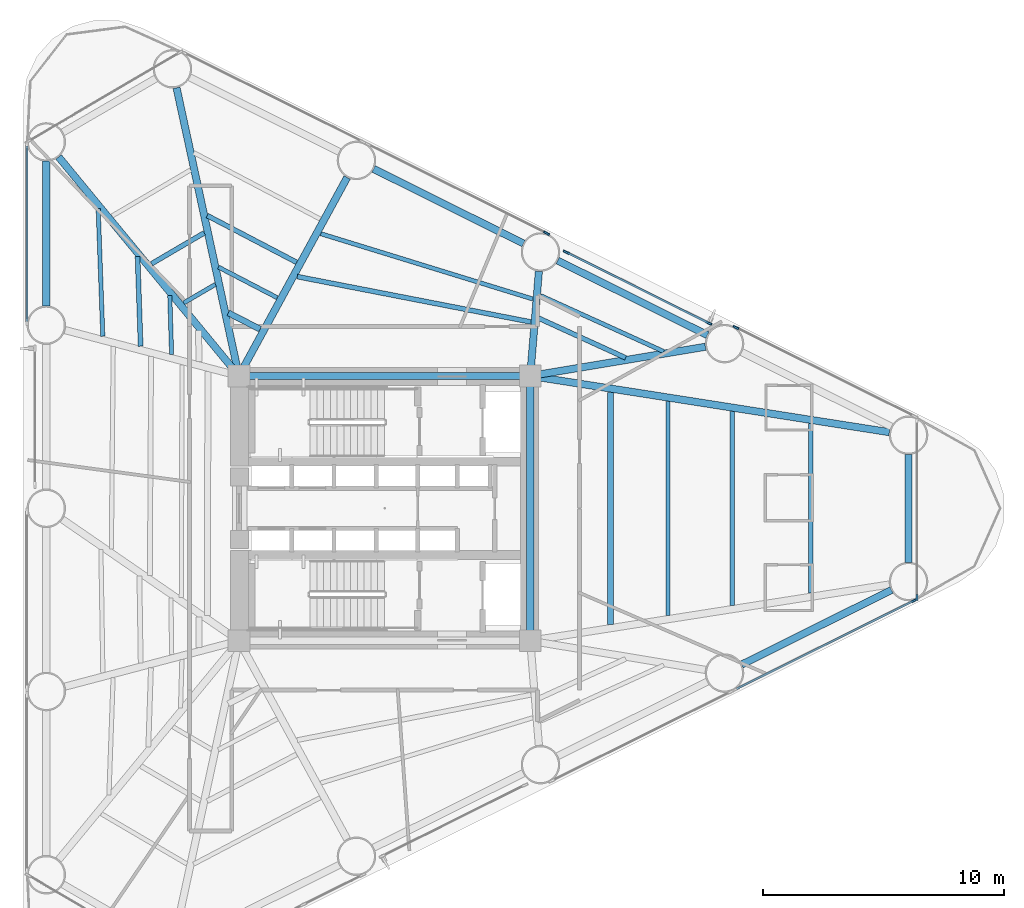
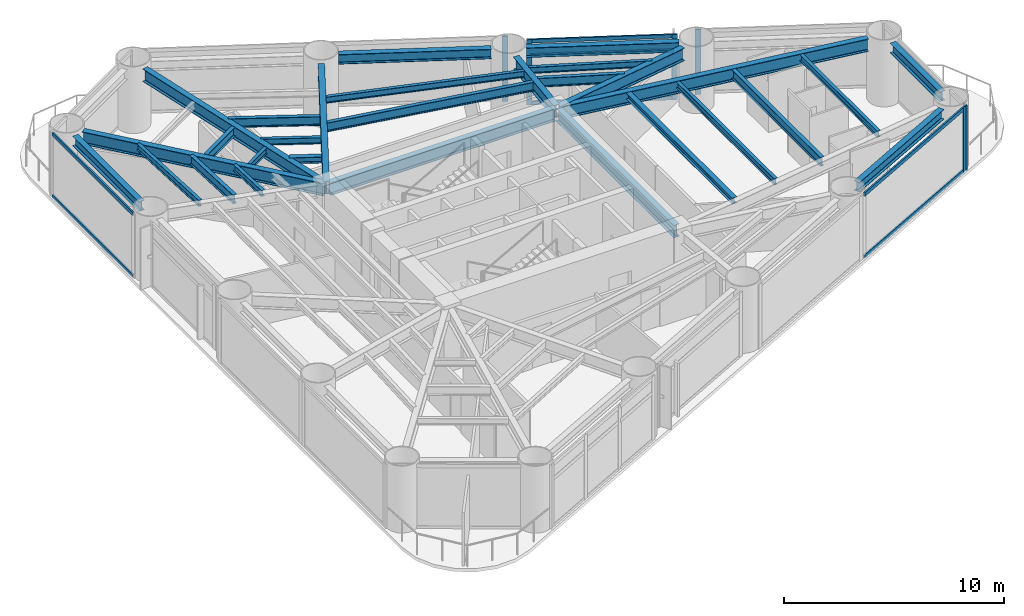
# One storey, part 3 of 10: 29 beams, 13 members, 6 elements without a shape of their own.
"""IFC4 building model written with IfcOpenShell, lengths in metres."""

from ifc_helpers import new_model, si_unit, direction, frame, origin, origin_2d, place, context, subcontext, project, spatial, rectangle, i_section, extrude, source, transform, mapped, material, layer, layer_set, material_profile, profile_set, type_object, element, aggregate, save


model = new_model("IFC4")

# Units and contexts
model_context = context("Model", 3, precision=1e-05, world=origin(), true_north=direction((0.0, 1.0)))
body_context = subcontext(model_context, "Body", "Model", "MODEL_VIEW")
ifc_project = project(units=[si_unit("LENGTHUNIT", "METRE"), si_unit("AREAUNIT", "SQUARE_METRE"), si_unit("VOLUMEUNIT", "CUBIC_METRE"), si_unit("PLANEANGLEUNIT", "RADIAN"), si_unit("MASSUNIT", "GRAM", prefix="KILO")], contexts=[model_context])

# Site, building, storey
site_placement = place(None, origin())
site = spatial("IfcSite", under=ifc_project, at=site_placement, CompositionType="ELEMENT")
building_placement = place(site_placement, origin())
building = spatial("IfcBuilding", under=site, at=building_placement, Name="Yunling Apex Tower", CompositionType="ELEMENT")
storey_placement = place(building_placement, frame((0.0, 0.0, 34.89990234375)))
storey = spatial("IfcBuildingStorey", under=building, at=storey_placement, Name="L10", CompositionType="ELEMENT", Elevation=34.89990234375)

# Beams
ifc_material_1 = material(Name="Steel Q355B", Category="steel")
ifc_material_profile_1 = material_profile(ifc_material_1, i_section(OverallWidth=0.300048828125, OverallDepth=0.699951171875, WebThickness=0.012939453125, FlangeThickness=0.02392578125, FilletRadius=0.02587890625, at=origin_2d()))
ifc_profile_set_1 = profile_set([ifc_material_profile_1], Name="Steel Q355B")
beam_type_1 = type_object("IfcBeamType", Name="BG-PRI-3", PredefinedType="USERDEFINED", material=ifc_profile_set_1)
shared_shape_1 = source(origin(), body_context, "Body", "SweptSolid", [
    extrude(i_section(OverallWidth=0.300048828125, OverallDepth=0.699951171875, WebThickness=0.012939453125, FlangeThickness=0.02392578125, FilletRadius=0.02587890625, at=origin_2d()), origin(), (0.0, 0.0, 1.0), 11.7998046875),
])
beam_1_placement = place(storey_placement, frame((5.89990234375, 5.5, 3.1650390625), z_axis=(-1.0, 0.0, 0.0), x_axis=(0.0, -1.0, 0.0)))
element("IfcBeam", 1, at=beam_1_placement, inside=storey, type_object=beam_type_1, Name="L10 Core Ring Tie Beam 3", ObjectType="GIRDER", PredefinedType="USERDEFINED", context=body_context, shape_type="MappedRepresentation", body=[
    mapped(shared_shape_1, transform((0.0, 0.0, 0.0), scale=1.0)),
])
shared_shape_2 = source(origin(), body_context, "Body", "SweptSolid", [
    extrude(i_section(OverallWidth=0.300048828125, OverallDepth=0.699951171875, WebThickness=0.012939453125, FlangeThickness=0.02392578125, FilletRadius=0.02587890625, at=origin_2d()), origin(), (0.0, 0.0, 1.0), 10.7001953125),
])
beam_2_placement = place(storey_placement, frame((6.050048828125, -5.35009765625, 3.1650390625), z_axis=(0.0, 1.0, 0.0), x_axis=(-1.0, 0.0, 0.0)))
element("IfcBeam", 2, at=beam_2_placement, inside=storey, type_object=beam_type_1, Name="L10 Core Ring Tie Beam 2", ObjectType="GIRDER", PredefinedType="USERDEFINED", context=body_context, shape_type="MappedRepresentation", body=[
    mapped(shared_shape_2, transform((0.0, 0.0, 0.0), scale=1.0)),
])
ifc_material_profile_2 = material_profile(ifc_material_1, i_section(OverallWidth=0.300048828125, OverallDepth=0.5400390625, WebThickness=0.011962890625, FlangeThickness=0.02001953125, FilletRadius=0.02392578125, at=origin_2d()))
ifc_profile_set_2 = profile_set([ifc_material_profile_2], Name="Steel Q355B")
beam_type_2 = type_object("IfcBeamType", Name="BP-SPN-1", PredefinedType="SPANDREL", material=ifc_profile_set_2)
shared_shape_3 = source(origin(), body_context, "Body", "SweptSolid", [
    extrude(i_section(OverallWidth=0.300048828125, OverallDepth=0.5400390625, WebThickness=0.011962890625, FlangeThickness=0.02001953125, FilletRadius=0.02392578125, at=origin_2d()), origin(), (0.0, 0.0, 1.0), 6.950927734375),
])
for number, where, z_axis, x_axis, name in (
    (3, (14.83251953125, -6.48974609375, 3.2451171875), (0.895247556401, 0.445569088646, 0.0), (-0.445569088646, 0.895247556401, 0.0), "L10 Perimeter Spandrel Beam 4"),
    (4, (5.7666015625, 11.002197265625, 3.2451171875), (-0.895247556401, 0.445569088646, 0.0), (-0.445569088646, -0.895247556401, 0.0), "L10 Perimeter Spandrel Beam 8"),
):
    element("IfcBeam", number, at=place(storey_placement, frame(where, z_axis=z_axis, x_axis=x_axis)), inside=storey, type_object=beam_type_2, Name=name, PredefinedType="SPANDREL", context=body_context, shape_type="MappedRepresentation", body=[
        mapped(shared_shape_3, transform((0.0, 0.0, 0.0), scale=1.0)),
    ])
shared_shape_4 = source(origin(), body_context, "Body", "SweptSolid", [
    extrude(i_section(OverallWidth=0.300048828125, OverallDepth=0.5400390625, WebThickness=0.011962890625, FlangeThickness=0.02001953125, FilletRadius=0.02392578125, at=origin_2d()), origin(), (0.0, 0.0, 1.0), 6.95068359375),
])
beam_3_placement = place(storey_placement, frame((13.410888671875, 7.197509765625, 3.2451171875), z_axis=(-0.895254593944, 0.445554948375, 0.0), x_axis=(-0.445554948375, -0.895254593944, 0.0)))
element("IfcBeam", 5, at=beam_3_placement, inside=storey, type_object=beam_type_2, Name="L10 Perimeter Spandrel Beam 7", PredefinedType="SPANDREL", context=body_context, shape_type="MappedRepresentation", body=[
    mapped(shared_shape_4, transform((0.0, 0.0, 0.0), scale=1.0)),
])
shared_shape_5 = source(origin(), body_context, "Body", "SweptSolid", [
    extrude(i_section(OverallWidth=0.300048828125, OverallDepth=0.5400390625, WebThickness=0.011962890625, FlangeThickness=0.02001953125, FilletRadius=0.02392578125, at=origin_2d()), origin(), (0.0, 0.0, 1.0), 4.48974609375),
])
beam_4_placement = place(storey_placement, frame((21.76611328125, -2.244873046875, 3.2451171875), z_axis=(0.0, 1.0, 0.0), x_axis=(-1.0, 0.0, 0.0)))
element("IfcBeam", 6, at=beam_4_placement, inside=storey, type_object=beam_type_2, Name="L10 Perimeter Spandrel Beam 5", PredefinedType="SPANDREL", context=body_context, shape_type="MappedRepresentation", body=[
    mapped(shared_shape_5, transform((0.0, 0.0, 0.0), scale=1.0)),
])
shared_shape_6 = source(origin(), body_context, "Body", "SweptSolid", [
    extrude(i_section(OverallWidth=0.300048828125, OverallDepth=0.5400390625, WebThickness=0.011962890625, FlangeThickness=0.02001953125, FilletRadius=0.02392578125, at=origin_2d()), origin(), (0.0, 0.0, 1.0), 6.021240234375),
])
beam_5_placement = place(storey_placement, frame((-14.052001953125, 14.4248046875, 3.2451171875), z_axis=(0.0, -1.0, 0.0), x_axis=(1.0, 0.0, 0.0)))
element("IfcBeam", 7, at=beam_5_placement, inside=storey, type_object=beam_type_2, Name="L10 Perimeter Spandrel Beam 11", PredefinedType="SPANDREL", context=body_context, shape_type="MappedRepresentation", body=[
    mapped(shared_shape_6, transform((0.0, 0.0, 0.0), scale=1.0)),
])
shared_shape_7 = source(origin(), body_context, "Body", "SweptSolid", [
    extrude(i_section(OverallWidth=0.300048828125, OverallDepth=0.699951171875, WebThickness=0.012939453125, FlangeThickness=0.02392578125, FilletRadius=0.02587890625, at=origin_2d()), origin(), (0.0, 0.0, 1.0), 12.165283203125),
])
beam_6_placement = place(storey_placement, frame((-8.640625, 17.468017578125, 3.1650390625), z_axis=(0.2115638914, -0.977364169517, 0.0), x_axis=(0.977364169517, 0.2115638914, 0.0)))
element("IfcBeam", 8, at=beam_6_placement, inside=storey, type_object=beam_type_1, Name="L10 Radial Primary Girder R10", ObjectType="GIRDER", PredefinedType="USERDEFINED", context=body_context, shape_type="MappedRepresentation", body=[
    mapped(shared_shape_7, transform((0.0, 0.0, 0.0), scale=1.0)),
])
shared_shape_8 = source(origin(), body_context, "Body", "SweptSolid", [
    extrude(i_section(OverallWidth=0.300048828125, OverallDepth=0.699951171875, WebThickness=0.012939453125, FlangeThickness=0.02392578125, FilletRadius=0.02587890625, at=origin_2d()), origin(), (0.0, 0.0, 1.0), 9.31005859375),
])
beam_7_placement = place(storey_placement, frame((-1.553955078125, 13.74365234375, 3.1650390625), z_axis=(-0.478817221141, -0.877914613581, 0.0), x_axis=(0.877914613581, -0.478817221141, 0.0)))
element("IfcBeam", 9, at=beam_7_placement, inside=storey, type_object=beam_type_1, Name="L10 Radial Primary Girder R09", ObjectType="GIRDER", PredefinedType="USERDEFINED", context=body_context, shape_type="MappedRepresentation", body=[
    mapped(shared_shape_8, transform((0.0, 0.0, 0.0), scale=1.0)),
])
shared_shape_9 = source(origin(), body_context, "Body", "SweptSolid", [
    extrude(i_section(OverallWidth=0.300048828125, OverallDepth=0.699951171875, WebThickness=0.012939453125, FlangeThickness=0.02392578125, FilletRadius=0.02587890625, at=origin_2d()), origin(), (0.0, 0.0, 1.0), 4.278076171875),
])
beam_8_placement = place(storey_placement, frame((6.41064453125, 9.843017578125, 3.1650390625), z_axis=(-0.082747937789, -0.996570508691, 0.0), x_axis=(0.996570508691, -0.082747937789, 0.0)))
element("IfcBeam", 10, at=beam_8_placement, inside=storey, type_object=beam_type_1, Name="L10 Radial Primary Girder R08", ObjectType="GIRDER", PredefinedType="USERDEFINED", context=body_context, shape_type="MappedRepresentation", body=[
    mapped(shared_shape_9, transform((0.0, 0.0, 0.0), scale=1.0)),
])
shared_shape_10 = source(origin(), body_context, "Body", "SweptSolid", [
    extrude(i_section(OverallWidth=0.300048828125, OverallDepth=0.699951171875, WebThickness=0.012939453125, FlangeThickness=0.02392578125, FilletRadius=0.02587890625, at=origin_2d()), origin(), (0.0, 0.0, 1.0), 7.294921875),
])
beam_9_placement = place(storey_placement, frame((13.32470703125, 6.7109375, 3.1650390625), z_axis=(-0.98642827455, -0.164192750049, 0.0), x_axis=(0.164192750049, -0.98642827455, 0.0)))
element("IfcBeam", 11, at=beam_9_placement, inside=storey, type_object=beam_type_1, Name="L10 Radial Primary Girder R07", ObjectType="GIRDER", PredefinedType="USERDEFINED", context=body_context, shape_type="MappedRepresentation", body=[
    mapped(shared_shape_10, transform((0.0, 0.0, 0.0), scale=1.0)),
])
shared_shape_11 = source(origin(), body_context, "Body", "SweptSolid", [
    extrude(i_section(OverallWidth=0.300048828125, OverallDepth=0.699951171875, WebThickness=0.012939453125, FlangeThickness=0.02392578125, FilletRadius=0.02587890625, at=origin_2d()), origin(), (0.0, 0.0, 1.0), 15.02001953125),
])
beam_10_placement = place(storey_placement, frame((20.968017578125, 3.163818359375, 3.1650390625), z_axis=(-0.987959991473, 0.154709583568, 0.0), x_axis=(-0.154709583568, -0.987959991473, 0.0)))
element("IfcBeam", 12, at=beam_10_placement, inside=storey, type_object=beam_type_1, Name="L10 Radial Primary Girder R06", ObjectType="GIRDER", PredefinedType="USERDEFINED", context=body_context, shape_type="MappedRepresentation", body=[
    mapped(shared_shape_11, transform((0.0, 0.0, 0.0), scale=1.0)),
])
shared_shape_12 = source(origin(), body_context, "Body", "SweptSolid", [
    extrude(i_section(OverallWidth=0.300048828125, OverallDepth=0.699951171875, WebThickness=0.012939453125, FlangeThickness=0.02392578125, FilletRadius=0.02587890625, at=origin_2d()), origin(), (0.0, 0.0, 1.0), 11.701171875),
])
beam_11_placement = place(storey_placement, frame((-13.538330078125, 14.59521484375, 3.1650390625), z_axis=(0.635615100524, -0.772006116547, 0.0), x_axis=(0.772006116547, 0.635615100524, 0.0)))
element("IfcBeam", 13, at=beam_11_placement, inside=storey, type_object=beam_type_1, Name="L10 Radial Primary Girder R11", ObjectType="GIRDER", PredefinedType="USERDEFINED", context=body_context, shape_type="MappedRepresentation", body=[
    mapped(shared_shape_12, transform((0.0, 0.0, 0.0), scale=1.0)),
])
ifc_material_profile_3 = material_profile(ifc_material_1, i_section(OverallWidth=0.199951171875, OverallDepth=0.5, WebThickness=0.010009765625, FlangeThickness=0.01611328125, FilletRadius=0.02001953125, at=origin_2d()))
ifc_profile_set_3 = profile_set([ifc_material_profile_3], Name="Steel Q355B")
beam_type_3 = type_object("IfcBeamType", Name="BS-SEC-2", PredefinedType="BEAM", material=ifc_profile_set_3)
shared_shape_13 = source(origin(), body_context, "Body", "SweptSolid", [
    extrude(i_section(OverallWidth=0.199951171875, OverallDepth=0.5, WebThickness=0.010009765625, FlangeThickness=0.01611328125, FilletRadius=0.02001953125, at=origin_2d()), origin(), (0.0, 0.0, 1.0), 4.186279296875),
])
beam_12_placement = place(storey_placement, frame((-3.6572265625, 10.221435546875, 3.26513671875), z_axis=(-0.886028927656, 0.463629959512, 0.0), x_axis=(-0.463629959512, -0.886028927656, 0.0)))
element("IfcBeam", 14, at=beam_12_placement, inside=storey, type_object=beam_type_3, Name="L10 Composite Floor Beam BS-9", PredefinedType="BEAM", context=body_context, shape_type="MappedRepresentation", body=[
    mapped(shared_shape_13, transform((0.0, 0.0, 0.0), scale=1.0)),
])
ifc_material_profile_4 = material_profile(ifc_material_1, i_section(OverallWidth=0.175048828125, OverallDepth=0.35009765625, WebThickness=0.007080078125, FlangeThickness=0.010986328125, FilletRadius=0.013916015625, at=origin_2d()))
ifc_profile_set_4 = profile_set([ifc_material_profile_4], Name="Steel Q355B")
beam_type_4 = type_object("IfcBeamType", Name="BJ-JST-1", PredefinedType="JOIST", material=ifc_profile_set_4)
shared_shape_14 = source(origin(), body_context, "Body", "SweptSolid", [
    extrude(i_section(OverallWidth=0.175048828125, OverallDepth=0.35009765625, WebThickness=0.007080078125, FlangeThickness=0.010986328125, FilletRadius=0.013916015625, at=origin_2d()), origin(), (0.0, 0.0, 1.0), 2.7548828125),
])
beam_13_placement = place(storey_placement, frame((-4.459716796875, 8.75, 3.340087890625), z_axis=(-0.886932237595, 0.461899562584, 0.0), x_axis=(-0.461899562584, -0.886932237595, 0.0)))
element("IfcBeam", 15, at=beam_13_placement, inside=storey, type_object=beam_type_4, Name="L10 Composite Floor Joist BJ3-9", PredefinedType="JOIST", context=body_context, shape_type="MappedRepresentation", body=[
    mapped(shared_shape_14, transform((0.0, 0.0, 0.0), scale=1.0)),
])
ifc_material_profile_5 = material_profile(ifc_material_1, i_section(OverallWidth=0.25, OverallDepth=0.340087890625, WebThickness=0.009033203125, FlangeThickness=0.013916015625, FilletRadius=0.01806640625, at=origin_2d()))
ifc_profile_set_5 = profile_set([ifc_material_profile_5], Name="Steel Q355B")
beam_type_5 = type_object("IfcBeamType", Name="BJ-JST-2", PredefinedType="JOIST", material=ifc_profile_set_5)
shared_shape_15 = source(origin(), body_context, "Body", "SweptSolid", [
    extrude(i_section(OverallWidth=0.25, OverallDepth=0.340087890625, WebThickness=0.009033203125, FlangeThickness=0.013916015625, FilletRadius=0.01806640625, at=origin_2d()), origin(), (0.0, 0.0, 1.0), 1.482421875),
])
beam_14_placement = place(storey_placement, frame((-5.173095703125, 7.441650390625, 3.34521484375), z_axis=(-0.888960334438, 0.457984196012, 0.0), x_axis=(-0.457984196012, -0.888960334438, 0.0)))
element("IfcBeam", 16, at=beam_14_placement, inside=storey, type_object=beam_type_5, Name="L10 Composite Floor Joist BJ2-9", PredefinedType="JOIST", context=body_context, shape_type="MappedRepresentation", body=[
    mapped(shared_shape_15, transform((0.0, 0.0, 0.0), scale=1.0)),
])
shared_shape_16 = source(origin(), body_context, "Body", "SweptSolid", [
    extrude(i_section(OverallWidth=0.199951171875, OverallDepth=0.5, WebThickness=0.010009765625, FlangeThickness=0.01611328125, FilletRadius=0.02001953125, at=origin_2d()), origin(), (0.0, 0.0, 1.0), 9.883544921875),
])
beam_15_placement = place(storey_placement, frame((6.076416015625, 7.741943359375, 3.26513671875), z_axis=(-0.981653423938, 0.190673950161, 0.0), x_axis=(-0.190673950161, -0.981653423938, 0.0)))
element("IfcBeam", 17, at=beam_15_placement, inside=storey, type_object=beam_type_3, Name="L10 Composite Floor Beam BS-8", PredefinedType="BEAM", context=body_context, shape_type="MappedRepresentation", body=[
    mapped(shared_shape_16, transform((0.0, 0.0, 0.0), scale=1.0)),
])
shared_shape_17 = source(origin(), body_context, "Body", "SweptSolid", [
    extrude(i_section(OverallWidth=0.175048828125, OverallDepth=0.35009765625, WebThickness=0.007080078125, FlangeThickness=0.010986328125, FilletRadius=0.013916015625, at=origin_2d()), origin(), (0.0, 0.0, 1.0), 9.2158203125),
])
beam_16_placement = place(storey_placement, frame((6.15869140625, 8.6962890625, 3.340087890625), z_axis=(-0.955731454849, 0.294240354492, 0.0), x_axis=(-0.294240354492, -0.955731454849, 0.0)))
element("IfcBeam", 18, at=beam_16_placement, inside=storey, type_object=beam_type_4, Name="L10 Composite Floor Joist BJ1-8", PredefinedType="JOIST", context=body_context, shape_type="MappedRepresentation", body=[
    mapped(shared_shape_17, transform((0.0, 0.0, 0.0), scale=1.0)),
])
shared_shape_18 = source(origin(), body_context, "Body", "SweptSolid", [
    extrude(i_section(OverallWidth=0.199951171875, OverallDepth=0.5, WebThickness=0.010009765625, FlangeThickness=0.01611328125, FilletRadius=0.02001953125, at=origin_2d()), origin(), (0.0, 0.0, 1.0), 3.971923828125),
])
beam_17_placement = place(storey_placement, frame((10.01318359375, 6.25048828125, 3.26513671875), z_axis=(-0.909609234888, 0.415464847858, 0.0), x_axis=(-0.415464847858, -0.909609234888, 0.0)))
element("IfcBeam", 19, at=beam_17_placement, inside=storey, type_object=beam_type_3, Name="L10 Composite Floor Beam BS-7", PredefinedType="BEAM", context=body_context, shape_type="MappedRepresentation", body=[
    mapped(shared_shape_18, transform((0.0, 0.0, 0.0), scale=1.0)),
])
shared_shape_19 = source(origin(), body_context, "Body", "SweptSolid", [
    extrude(i_section(OverallWidth=0.175048828125, OverallDepth=0.35009765625, WebThickness=0.007080078125, FlangeThickness=0.010986328125, FilletRadius=0.013916015625, at=origin_2d()), origin(), (0.0, 0.0, 1.0), 5.62109375),
])
beam_18_placement = place(storey_placement, frame((11.595947265625, 6.513671875, 3.340087890625), z_axis=(-0.910411095702, 0.413704770124, 0.0), x_axis=(-0.413704770124, -0.910411095702, 0.0)))
element("IfcBeam", 20, at=beam_18_placement, inside=storey, type_object=beam_type_4, Name="L10 Composite Floor Joist BJ1-7", PredefinedType="JOIST", context=body_context, shape_type="MappedRepresentation", body=[
    mapped(shared_shape_19, transform((0.0, 0.0, 0.0), scale=1.0)),
])
shared_shape_20 = source(origin(), body_context, "Body", "SweptSolid", [
    extrude(i_section(OverallWidth=0.199951171875, OverallDepth=0.5, WebThickness=0.010009765625, FlangeThickness=0.01611328125, FilletRadius=0.02001953125, at=origin_2d()), origin(), (0.0, 0.0, 1.0), 8.052734375),
])
beam_19_placement = place(storey_placement, frame((14.438720703125, -4.0263671875, 3.26513671875), z_axis=(0.0, 1.0, 0.0), x_axis=(-1.0, 0.0, 0.0)))
element("IfcBeam", 21, at=beam_19_placement, inside=storey, type_object=beam_type_3, Name="L10 Composite Floor Beam BS-5", PredefinedType="BEAM", context=body_context, shape_type="MappedRepresentation", body=[
    mapped(shared_shape_20, transform((0.0, 0.0, 0.0), scale=1.0)),
])
shared_shape_21 = source(origin(), body_context, "Body", "SweptSolid", [
    extrude(i_section(OverallWidth=0.175048828125, OverallDepth=0.35009765625, WebThickness=0.007080078125, FlangeThickness=0.010986328125, FilletRadius=0.013916015625, at=origin_2d()), origin(), (0.0, 0.0, 1.0), 7.02978515625),
])
beam_20_placement = place(storey_placement, frame((17.703369140625, -3.514892578125, 3.340087890625), z_axis=(0.0, 1.0, 0.0), x_axis=(-1.0, 0.0, 0.0)))
element("IfcBeam", 22, at=beam_20_placement, inside=storey, type_object=beam_type_4, Name="L10 Composite Floor Joist BJ1-5", PredefinedType="JOIST", context=body_context, shape_type="MappedRepresentation", body=[
    mapped(shared_shape_21, transform((0.0, 0.0, 0.0), scale=1.0)),
])
shared_shape_22 = source(origin(), body_context, "Body", "SweptSolid", [
    extrude(i_section(OverallWidth=0.175048828125, OverallDepth=0.35009765625, WebThickness=0.007080078125, FlangeThickness=0.010986328125, FilletRadius=0.013916015625, at=origin_2d()), origin(), (0.0, 0.0, 1.0), 8.88916015625),
])
beam_21_placement = place(storey_placement, frame((11.767822265625, -4.444580078125, 3.340087890625), z_axis=(0.0, 1.0, 0.0), x_axis=(-1.0, 0.0, 0.0)))
element("IfcBeam", 23, at=beam_21_placement, inside=storey, type_object=beam_type_4, Name="L10 Composite Floor Joist BJ3-5", PredefinedType="JOIST", context=body_context, shape_type="MappedRepresentation", body=[
    mapped(shared_shape_22, transform((0.0, 0.0, 0.0), scale=1.0)),
])
shared_shape_23 = source(origin(), body_context, "Body", "SweptSolid", [
    extrude(i_section(OverallWidth=0.25, OverallDepth=0.340087890625, WebThickness=0.009033203125, FlangeThickness=0.013916015625, FilletRadius=0.01806640625, at=origin_2d()), origin(), (0.0, 0.0, 1.0), 9.6328125),
])
beam_22_placement = place(storey_placement, frame((9.3935546875, -4.81640625, 3.34521484375), z_axis=(0.0, 1.0, 0.0), x_axis=(-1.0, 0.0, 0.0)))
element("IfcBeam", 24, at=beam_22_placement, inside=storey, type_object=beam_type_5, Name="L10 Composite Floor Joist BJ2-5", PredefinedType="JOIST", context=body_context, shape_type="MappedRepresentation", body=[
    mapped(shared_shape_23, transform((0.0, 0.0, 0.0), scale=1.0)),
])
shared_shape_24 = source(origin(), body_context, "Body", "SweptSolid", [
    extrude(i_section(OverallWidth=0.199951171875, OverallDepth=0.5, WebThickness=0.010009765625, FlangeThickness=0.01611328125, FilletRadius=0.02001953125, at=origin_2d()), origin(), (0.0, 0.0, 1.0), 2.5380859375),
])
beam_23_placement = place(storey_placement, frame((-7.49169921875, 11.4423828125, 3.26513671875), z_axis=(-0.862768873171, -0.505598527972, 0.0), x_axis=(0.505598527972, -0.862768873171, 0.0)))
element("IfcBeam", 25, at=beam_23_placement, inside=storey, type_object=beam_type_3, Name="L10 Composite Floor Beam BS-10", PredefinedType="BEAM", context=body_context, shape_type="MappedRepresentation", body=[
    mapped(shared_shape_24, transform((0.0, 0.0, 0.0), scale=1.0)),
])
shared_shape_25 = source(origin(), body_context, "Body", "SweptSolid", [
    extrude(i_section(OverallWidth=0.175048828125, OverallDepth=0.35009765625, WebThickness=0.007080078125, FlangeThickness=0.010986328125, FilletRadius=0.013916015625, at=origin_2d()), origin(), (0.0, 0.0, 1.0), 1.522705078125),
])
beam_24_placement = place(storey_placement, frame((-7.028564453125, 9.30224609375, 3.340087890625), z_axis=(-0.863086068208, -0.505056866962, 0.0), x_axis=(0.505056866962, -0.863086068208, 0.0)))
element("IfcBeam", 26, at=beam_24_placement, inside=storey, type_object=beam_type_4, Name="L10 Composite Floor Joist BJ3-10", PredefinedType="JOIST", context=body_context, shape_type="MappedRepresentation", body=[
    mapped(shared_shape_25, transform((0.0, 0.0, 0.0), scale=1.0)),
])
shared_shape_26 = source(origin(), body_context, "Body", "SweptSolid", [
    extrude(i_section(OverallWidth=0.199951171875, OverallDepth=0.5, WebThickness=0.010009765625, FlangeThickness=0.01611328125, FilletRadius=0.02001953125, at=origin_2d()), origin(), (0.0, 0.0, 1.0), 3.727783203125),
])
beam_25_placement = place(storey_placement, frame((-10.260498046875, 10.46044921875, 3.26513671875), z_axis=(0.034187081609, -0.999415450877, 0.0), x_axis=(0.999415450877, 0.034187081609, 0.0)))
element("IfcBeam", 27, at=beam_25_placement, inside=storey, type_object=beam_type_3, Name="L10 Composite Floor Beam BS-11", PredefinedType="BEAM", context=body_context, shape_type="MappedRepresentation", body=[
    mapped(shared_shape_26, transform((0.0, 0.0, 0.0), scale=1.0)),
])
shared_shape_27 = source(origin(), body_context, "Body", "SweptSolid", [
    extrude(i_section(OverallWidth=0.175048828125, OverallDepth=0.35009765625, WebThickness=0.007080078125, FlangeThickness=0.010986328125, FilletRadius=0.013916015625, at=origin_2d()), origin(), (0.0, 0.0, 1.0), 5.30224609375),
])
beam_26_placement = place(storey_placement, frame((-11.896484375, 12.447998046875, 3.340087890625), z_axis=(0.036144814399, -0.999346562706, 0.0), x_axis=(0.999346562706, 0.036144814399, 0.0)))
element("IfcBeam", 28, at=beam_26_placement, inside=storey, type_object=beam_type_4, Name="L10 Composite Floor Joist BJ1-11", PredefinedType="JOIST", context=body_context, shape_type="MappedRepresentation", body=[
    mapped(shared_shape_27, transform((0.0, 0.0, 0.0), scale=1.0)),
])
shared_shape_28 = source(origin(), body_context, "Body", "SweptSolid", [
    extrude(i_section(OverallWidth=0.175048828125, OverallDepth=0.35009765625, WebThickness=0.007080078125, FlangeThickness=0.010986328125, FilletRadius=0.013916015625, at=origin_2d()), origin(), (0.0, 0.0, 1.0), 2.439697265625),
])
beam_27_placement = place(storey_placement, frame((-8.922119140625, 8.83447265625, 3.340087890625), z_axis=(0.03092233012, -0.999521790408, 0.0), x_axis=(0.999521790408, 0.03092233012, 0.0)))
element("IfcBeam", 29, at=beam_27_placement, inside=storey, type_object=beam_type_4, Name="L10 Composite Floor Joist BJ3-11", PredefinedType="JOIST", context=body_context, shape_type="MappedRepresentation", body=[
    mapped(shared_shape_28, transform((0.0, 0.0, 0.0), scale=1.0)),
])

# Curtain wall, member
ifc_material_2 = material(Name="Bronze anodised aluminium", Category="aluminium")
ifc_layer = layer(ifc_material_2, 0.260009765625)
ifc_layer_set = layer_set([ifc_layer], Name="Bronze anodised aluminium")
curtain_wall_type = type_object("IfcCurtainWallType", Name="CW-SYS-2", PredefinedType="NOTDEFINED", material=ifc_layer_set)
curtain_wall_1_placement = place(storey_placement, origin())
curtain_wall_1 = element("IfcCurtainWall", 30, at=curtain_wall_1_placement, inside=storey, type_object=curtain_wall_type, Name="CW-L10-F1-B4", PredefinedType="NOTDEFINED")
ifc_material_profile_6 = material_profile(ifc_material_2, rectangle(XDim=0.0849609375, YDim=0.260009765625, at=origin_2d()))
ifc_profile_set_6 = profile_set([ifc_material_profile_6], Name="Bronze anodised aluminium")
member_type_1 = type_object("IfcMemberType", Name="CW-MUL-2", PredefinedType="MULLION", material=ifc_profile_set_6)
shared_shape_29 = source(origin(), body_context, "Body", "SweptSolid", [
    extrude(rectangle(XDim=0.0849609375, YDim=0.260009765625, at=origin_2d()), origin(), (0.0, 0.0, 1.0), 3.614990234375),
])
member_1_placement = place(storey_placement, frame((22.017333984375, -3.818603515625, -0.0498046875), z_axis=(0.0, 0.0, 1.0), x_axis=(-0.445580190214, 0.895242031011, 0.0)))
member_1 = element("IfcMember", 31, at=member_1_placement, type_object=member_type_1, Name="CW-SYS-2 mullion 2", PredefinedType="MULLION", context=body_context, shape_type="MappedRepresentation", body=[
    mapped(shared_shape_29, transform((0.0, 0.0, 0.0), scale=1.0)),
])

curtain_wall_2_placement = place(storey_placement, origin())
curtain_wall_2 = element("IfcCurtainWall", 32, at=curtain_wall_2_placement, inside=storey, type_object=curtain_wall_type, Name="CW-L10-CRN1", PredefinedType="NOTDEFINED")
member_2_placement = place(storey_placement, frame((22.1181640625, -3.70361328125, -0.0498046875), z_axis=(0.0, 0.0, 1.0), x_axis=(-1.0, 0.0, 0.0)))
member_2 = element("IfcMember", 33, at=member_2_placement, type_object=member_type_1, Name="CW-SYS-2 mullion 1", PredefinedType="MULLION", context=body_context, shape_type="MappedRepresentation", body=[
    mapped(shared_shape_29, transform((0.0, 0.0, 0.0), scale=1.0)),
])
aggregate(curtain_wall_2, [member_2])

curtain_wall_3_placement = place(storey_placement, origin())
curtain_wall_3 = element("IfcCurtainWall", 34, at=curtain_wall_3_placement, inside=storey, type_object=curtain_wall_type, Name="CW-L10-F2-B1", PredefinedType="NOTDEFINED")
member_3_placement = place(storey_placement, frame((14.59228515625, 7.51416015625, -0.0498046875), z_axis=(0.0, 0.0, 1.0), x_axis=(-0.445580190214, -0.895242031011, 0.0)))
member_3 = element("IfcMember", 35, at=member_3_placement, type_object=member_type_1, Name="CW-SYS-2 mullion 2", PredefinedType="MULLION", context=body_context, shape_type="MappedRepresentation", body=[
    mapped(shared_shape_29, transform((0.0, 0.0, 0.0), scale=1.0)),
])
aggregate(curtain_wall_3, [member_3])

# Curtain wall, members
curtain_wall_4_placement = place(storey_placement, origin())
curtain_wall_4 = element("IfcCurtainWall", 36, at=curtain_wall_4_placement, inside=storey, type_object=curtain_wall_type, Name="CW-L10-F2-B2", PredefinedType="NOTDEFINED")
member_4_placement = place(storey_placement, frame((13.469482421875, 7.693115234375, -0.0498046875), z_axis=(0.0, 0.0, 1.0), x_axis=(-0.445576771947, -0.895243732344, 0.0)))
member_4 = element("IfcMember", 37, at=member_4_placement, type_object=member_type_1, Name="CW-SYS-2 mullion 1", PredefinedType="MULLION", context=body_context, shape_type="MappedRepresentation", body=[
    mapped(shared_shape_29, transform((0.0, 0.0, 0.0), scale=1.0)),
])
member_5_placement = place(storey_placement, frame((7.54833984375, 10.640380859375, -0.0498046875), z_axis=(0.0, 0.0, 1.0), x_axis=(-0.445576771947, -0.895243732344, 0.0)))
member_5 = element("IfcMember", 38, at=member_5_placement, type_object=member_type_1, Name="CW-SYS-2 mullion 2", PredefinedType="MULLION", context=body_context, shape_type="MappedRepresentation", body=[
    mapped(shared_shape_29, transform((0.0, 0.0, 0.0), scale=1.0)),
])

# Curtain wall, member
curtain_wall_5_placement = place(storey_placement, origin())
curtain_wall_5 = element("IfcCurtainWall", 39, at=curtain_wall_5_placement, inside=storey, type_object=curtain_wall_type, Name="CW-L10-F2-B3", PredefinedType="NOTDEFINED")
member_6_placement = place(storey_placement, frame((6.728515625, 11.427978515625, -0.0498046875), z_axis=(0.0, 0.0, 1.0), x_axis=(-0.445580190214, -0.895242031011, 0.0)))
member_6 = element("IfcMember", 40, at=member_6_placement, type_object=member_type_1, Name="CW-SYS-2 mullion 1", PredefinedType="MULLION", context=body_context, shape_type="MappedRepresentation", body=[
    mapped(shared_shape_29, transform((0.0, 0.0, 0.0), scale=1.0)),
])
aggregate(curtain_wall_5, [member_6])

# Member
ifc_material_profile_7 = material_profile(ifc_material_2, rectangle(XDim=0.0849609375, YDim=0.199951171875, at=origin_2d()))
ifc_profile_set_7 = profile_set([ifc_material_profile_7], Name="Bronze anodised aluminium")
member_type_2 = type_object("IfcMemberType", Name="CW-TRN-2", PredefinedType="USERDEFINED", material=ifc_profile_set_7)
shared_shape_30 = source(origin(), body_context, "Body", "SweptSolid", [
    extrude(rectangle(XDim=0.0849609375, YDim=0.199951171875, at=origin_2d()), origin(), (0.0, 0.0, 1.0), 8.21728515625),
])
member_7_placement = place(storey_placement, frame((14.626708984375, -7.4970703125, 0.04248046875), z_axis=(0.895245705371, 0.445572807761, 0.0), x_axis=(-0.445572807761, 0.895245705371, 0.0)))
member_7 = element("IfcMember", 41, at=member_7_placement, type_object=member_type_2, Name="CW-SYS-2 transom 1.1", ObjectType="TRANSOM", PredefinedType="USERDEFINED", context=body_context, shape_type="MappedRepresentation", body=[
    mapped(shared_shape_30, transform((0.0, 0.0, 0.0), scale=1.0)),
])

member_8_placement = place(storey_placement, frame((14.626708984375, -7.4970703125, 3.47265625), z_axis=(0.895245705371, 0.445572807761, 0.0), x_axis=(-0.445572807761, 0.895245705371, 0.0)))
member_8 = element("IfcMember", 42, at=member_8_placement, type_object=member_type_2, Name="CW-SYS-2 transom 1.2", ObjectType="TRANSOM", PredefinedType="USERDEFINED", context=body_context, shape_type="MappedRepresentation", body=[
    mapped(shared_shape_30, transform((0.0, 0.0, 0.0), scale=1.0)),
])

aggregate(curtain_wall_1, [member_1, member_7, member_8])

# Curtain wall, members
curtain_wall_6_placement = place(storey_placement, origin())
curtain_wall_6 = element("IfcCurtainWall", 43, at=curtain_wall_6_placement, inside=storey, type_object=curtain_wall_type, Name="CW-L10-F3-B1", PredefinedType="NOTDEFINED")
shared_shape_31 = source(origin(), body_context, "Body", "SweptSolid", [
    extrude(rectangle(XDim=0.0849609375, YDim=0.199951171875, at=origin_2d()), origin(), (0.0, 0.0, 1.0), 7.287841796875),
])
member_9_placement = place(storey_placement, frame((-14.862060546875, 15.05810546875, 0.04248046875), z_axis=(0.0, -1.0, 0.0), x_axis=(1.0, 0.0, 0.0)))
member_9 = element("IfcMember", 44, at=member_9_placement, type_object=member_type_2, Name="CW-SYS-2 transom 1.1", ObjectType="TRANSOM", PredefinedType="USERDEFINED", context=body_context, shape_type="MappedRepresentation", body=[
    mapped(shared_shape_31, transform((0.0, 0.0, 0.0), scale=1.0)),
])
member_10_placement = place(storey_placement, frame((-14.862060546875, 15.05810546875, 3.47265625), z_axis=(0.0, -1.0, 0.0), x_axis=(1.0, 0.0, 0.0)))
member_10 = element("IfcMember", 45, at=member_10_placement, type_object=member_type_2, Name="CW-SYS-2 transom 1.2", ObjectType="TRANSOM", PredefinedType="USERDEFINED", context=body_context, shape_type="MappedRepresentation", body=[
    mapped(shared_shape_31, transform((0.0, 0.0, 0.0), scale=1.0)),
])
aggregate(curtain_wall_6, [member_9, member_10])

# Member
shared_shape_32 = source(origin(), body_context, "Body", "SweptSolid", [
    extrude(rectangle(XDim=0.0849609375, YDim=0.199951171875, at=origin_2d()), origin(), (0.0, 0.0, 1.0), 6.537353515625),
])
member_11_placement = place(storey_placement, frame((13.435302734375, 7.710205078125, 0.04248046875), z_axis=(-0.895232386263, 0.445599567533, 0.0), x_axis=(-0.445599567533, -0.895232386263, 0.0)))
member_11 = element("IfcMember", 46, at=member_11_placement, type_object=member_type_2, Name="CW-SYS-2 transom 1.1", ObjectType="TRANSOM", PredefinedType="USERDEFINED", context=body_context, shape_type="MappedRepresentation", body=[
    mapped(shared_shape_32, transform((0.0, 0.0, 0.0), scale=1.0)),
])

member_12_placement = place(storey_placement, frame((13.435302734375, 7.710205078125, 2.67138671875), z_axis=(-0.895232386263, 0.445599567533, 0.0), x_axis=(-0.445599567533, -0.895232386263, 0.0)))
member_12 = element("IfcMember", 47, at=member_12_placement, type_object=member_type_2, Name="CW-SYS-2 transom 1.2", ObjectType="TRANSOM", PredefinedType="USERDEFINED", context=body_context, shape_type="MappedRepresentation", body=[
    mapped(shared_shape_32, transform((0.0, 0.0, 0.0), scale=1.0)),
])

member_13_placement = place(storey_placement, frame((13.435302734375, 7.710205078125, 3.47265625), z_axis=(-0.895232386263, 0.445599567533, 0.0), x_axis=(-0.445599567533, -0.895232386263, 0.0)))
member_13 = element("IfcMember", 48, at=member_13_placement, type_object=member_type_2, Name="CW-SYS-2 transom 1.3", ObjectType="TRANSOM", PredefinedType="USERDEFINED", context=body_context, shape_type="MappedRepresentation", body=[
    mapped(shared_shape_32, transform((0.0, 0.0, 0.0), scale=1.0)),
])

aggregate(curtain_wall_4, [member_4, member_5, member_11, member_12, member_13])

save(model, "model.ifc")
